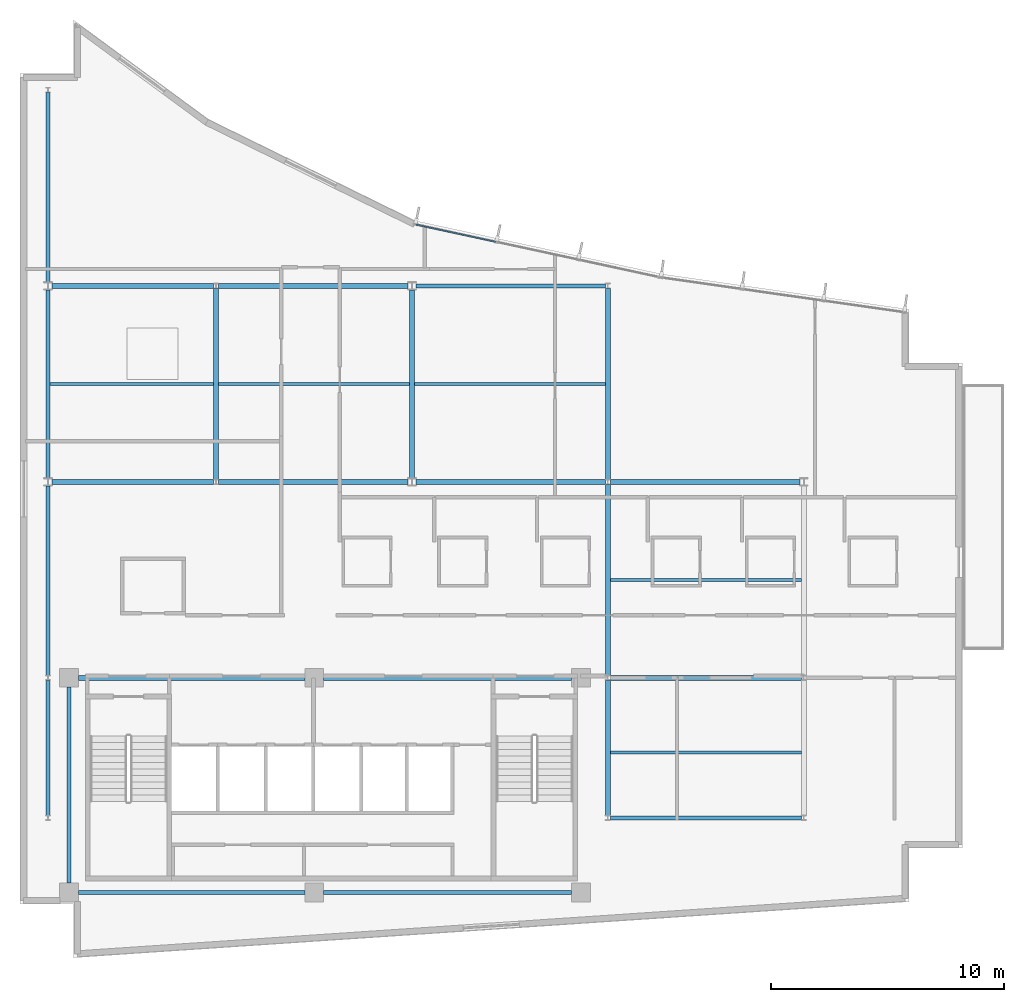
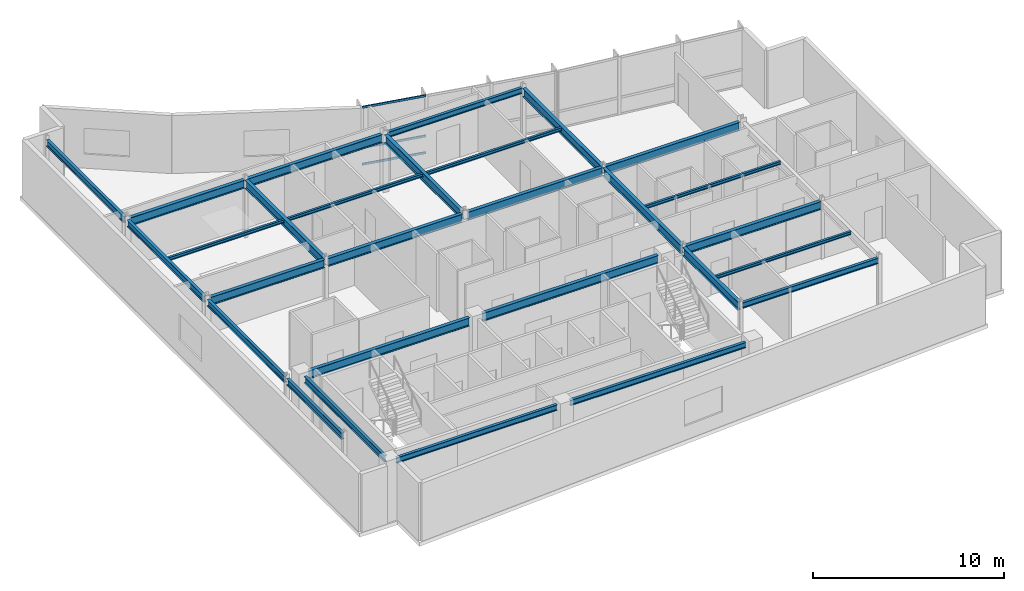
# One storey, part 5 of 16: 28 beams, 3 members, 1 element without a shape of its own.
"""IFC4 building model written with IfcOpenShell, lengths in metres."""

from ifc_helpers import new_model, si_unit, direction, frame, origin, origin_2d, place, context, subcontext, project, spatial, hollow_rectangle, i_section, extrude, material, layer, layer_set, material_profile, profile_set, type_object, element, aggregate, save


model = new_model("IFC4")

# Units and contexts
model_context = context("Model", 3, precision=1e-05, world=origin(), true_north=direction((0.0, 1.0)))
body_context = subcontext(model_context, "Body", "Model", "MODEL_VIEW")
ifc_project = project(units=[si_unit("LENGTHUNIT", "METRE"), si_unit("AREAUNIT", "SQUARE_METRE"), si_unit("VOLUMEUNIT", "CUBIC_METRE"), si_unit("PLANEANGLEUNIT", "RADIAN"), si_unit("MASSUNIT", "GRAM", prefix="KILO")], contexts=[model_context])

# Site, building, storey
site_placement = place(None, origin())
site = spatial("IfcSite", under=ifc_project, at=site_placement, CompositionType="ELEMENT")
building_placement = place(site_placement, origin())
building = spatial("IfcBuilding", under=site, at=building_placement, Name="Varnakote Quay Hospital", CompositionType="ELEMENT")
storey_placement = place(building_placement, frame((0.0, 0.0, 296.050048828125)))
storey = spatial("IfcBuildingStorey", under=building, at=storey_placement, Name="L73", CompositionType="ELEMENT", Elevation=296.050048828125)

# Beams
ifc_material_1 = material(Name="Structural steel AS/NZS 3679.1 Grade 350 L0 (fy 340 MPa)", Category="steel")
ifc_material_profile_1 = material_profile(ifc_material_1, i_section(OverallWidth=0.208984375, OverallDepth=0.528076171875, WebThickness=0.009521484375, FlangeThickness=0.01318359375, FilletRadius=0.013916015625, at=origin_2d()), Name="530UB82.0")
ifc_profile_set_1 = profile_set([ifc_material_profile_1], Name="Structural steel AS/NZS 3679.1 Grade 350 L0 (fy 340 MPa)")
beam_type_1 = type_object("IfcBeamType", Name="BM-STL-530UB82-0", PredefinedType="BEAM", material=ifc_profile_set_1)
beam_1_placement = place(storey_placement, frame((2.5, 12.0, 3.446044921875), z_axis=(1.0, 0.0, 0.0), x_axis=(0.0, 1.0, 0.0)))
element("IfcBeam", 1, at=beam_1_placement, inside=storey, type_object=beam_type_1, Name="L73 Primary Floor Beam", PredefinedType="BEAM", context=body_context, shape_type="SweptSolid", body=[
    extrude(i_section(OverallWidth=0.208984375, OverallDepth=0.528076171875, WebThickness=0.009521484375, FlangeThickness=0.01318359375, FilletRadius=0.013916015625, at=origin_2d()), origin(), (0.0, 0.0, 1.0), 9.719970703125),
])
beam_2_placement = place(storey_placement, frame((13.02001953125, 12.0, 3.446044921875), z_axis=(1.0, 0.0, 0.0), x_axis=(0.0, 1.0, 0.0)))
element("IfcBeam", 2, at=beam_2_placement, inside=storey, type_object=beam_type_1, Name="L73 Primary Floor Beam", PredefinedType="BEAM", context=body_context, shape_type="SweptSolid", body=[
    extrude(i_section(OverallWidth=0.208984375, OverallDepth=0.528076171875, WebThickness=0.009521484375, FlangeThickness=0.01318359375, FilletRadius=0.013916015625, at=origin_2d()), origin(), (0.0, 0.0, 1.0), 10.6298828125),
])
beam_3_placement = place(storey_placement, frame((25.302490234375, 12.0, 3.446044921875), z_axis=(1.0, 0.0, 0.0), x_axis=(0.0, 1.0, 0.0)))
element("IfcBeam", 3, at=beam_3_placement, inside=storey, type_object=beam_type_1, Name="L73 Primary Floor Beam", PredefinedType="BEAM", context=body_context, shape_type="SweptSolid", body=[
    extrude(i_section(OverallWidth=0.208984375, OverallDepth=0.528076171875, WebThickness=0.009521484375, FlangeThickness=0.01318359375, FilletRadius=0.013916015625, at=origin_2d()), origin(), (0.0, 0.0, 1.0), 8.195068359375),
])
beam_4_placement = place(storey_placement, frame((1.375, 20.39990234375, 3.446044921875), z_axis=(1.0, 0.0, 0.0), x_axis=(0.0, 1.0, 0.0)))
element("IfcBeam", 4, at=beam_4_placement, inside=storey, type_object=beam_type_1, Name="L73 Primary Floor Beam", PredefinedType="BEAM", context=body_context, shape_type="SweptSolid", body=[
    extrude(i_section(OverallWidth=0.208984375, OverallDepth=0.528076171875, WebThickness=0.009521484375, FlangeThickness=0.01318359375, FilletRadius=0.013916015625, at=origin_2d()), origin(), (0.0, 0.0, 1.0), 6.922607421875),
])
beam_5_placement = place(storey_placement, frame((8.50244140625, 20.39990234375, 3.446044921875), z_axis=(1.0, 0.0, 0.0), x_axis=(0.0, 1.0, 0.0)))
element("IfcBeam", 5, at=beam_5_placement, inside=storey, type_object=beam_type_1, Name="L73 Primary Floor Beam", PredefinedType="BEAM", context=body_context, shape_type="SweptSolid", body=[
    extrude(i_section(OverallWidth=0.208984375, OverallDepth=0.528076171875, WebThickness=0.009521484375, FlangeThickness=0.01318359375, FilletRadius=0.013916015625, at=origin_2d()), origin(), (0.0, 0.0, 1.0), 8.12255859375),
])
beam_6_placement = place(storey_placement, frame((16.97509765625, 20.39990234375, 3.446044921875), z_axis=(1.0, 0.0, 0.0), x_axis=(0.0, 1.0, 0.0)))
element("IfcBeam", 6, at=beam_6_placement, inside=storey, type_object=beam_type_1, Name="L73 Primary Floor Beam", PredefinedType="BEAM", context=body_context, shape_type="SweptSolid", body=[
    extrude(i_section(OverallWidth=0.208984375, OverallDepth=0.528076171875, WebThickness=0.009521484375, FlangeThickness=0.01318359375, FilletRadius=0.013916015625, at=origin_2d()), origin(), (0.0, 0.0, 1.0), 8.122314453125),
])
beam_7_placement = place(storey_placement, frame((25.302490234375, 20.39990234375, 3.446044921875), z_axis=(1.0, 0.0, 0.0), x_axis=(0.0, 1.0, 0.0)))
element("IfcBeam", 7, at=beam_7_placement, inside=storey, type_object=beam_type_1, Name="L73 Primary Floor Beam", PredefinedType="BEAM", context=body_context, shape_type="SweptSolid", body=[
    extrude(i_section(OverallWidth=0.208984375, OverallDepth=0.528076171875, WebThickness=0.009521484375, FlangeThickness=0.01318359375, FilletRadius=0.013916015625, at=origin_2d()), origin(), (0.0, 0.0, 1.0), 8.12255859375),
])
beam_8_placement = place(storey_placement, frame((1.375, 28.800048828125, 3.446044921875), z_axis=(1.0, 0.0, 0.0), x_axis=(0.0, 1.0, 0.0)))
element("IfcBeam", 8, at=beam_8_placement, inside=storey, type_object=beam_type_1, Name="L73 Primary Floor Beam", PredefinedType="BEAM", context=body_context, shape_type="SweptSolid", body=[
    extrude(i_section(OverallWidth=0.208984375, OverallDepth=0.528076171875, WebThickness=0.009521484375, FlangeThickness=0.01318359375, FilletRadius=0.013916015625, at=origin_2d()), origin(), (0.0, 0.0, 1.0), 6.922607421875),
])
beam_9_placement = place(storey_placement, frame((8.50244140625, 28.800048828125, 3.446044921875), z_axis=(1.0, 0.0, 0.0), x_axis=(0.0, 1.0, 0.0)))
element("IfcBeam", 9, at=beam_9_placement, inside=storey, type_object=beam_type_1, Name="L73 Primary Floor Beam", PredefinedType="BEAM", context=body_context, shape_type="SweptSolid", body=[
    extrude(i_section(OverallWidth=0.208984375, OverallDepth=0.528076171875, WebThickness=0.009521484375, FlangeThickness=0.01318359375, FilletRadius=0.013916015625, at=origin_2d()), origin(), (0.0, 0.0, 1.0), 8.12255859375),
])
beam_10_placement = place(storey_placement, frame((8.39990234375, 20.5048828125, 3.446044921875), z_axis=(0.0, 1.0, 0.0), x_axis=(-1.0, 0.0, 0.0)))
element("IfcBeam", 10, at=beam_10_placement, inside=storey, type_object=beam_type_1, Name="L73 Primary Tie Beam", PredefinedType="BEAM", context=body_context, shape_type="SweptSolid", body=[
    extrude(i_section(OverallWidth=0.208984375, OverallDepth=0.528076171875, WebThickness=0.009521484375, FlangeThickness=0.01318359375, FilletRadius=0.013916015625, at=origin_2d()), origin(), (0.0, 0.0, 1.0), 8.190185546875),
])
beam_11_placement = place(storey_placement, frame((16.800048828125, 20.570068359375, 3.446044921875), z_axis=(0.0, 1.0, 0.0), x_axis=(-1.0, 0.0, 0.0)))
element("IfcBeam", 11, at=beam_11_placement, inside=storey, type_object=beam_type_1, Name="L73 Primary Tie Beam", PredefinedType="BEAM", context=body_context, shape_type="SweptSolid", body=[
    extrude(i_section(OverallWidth=0.208984375, OverallDepth=0.528076171875, WebThickness=0.009521484375, FlangeThickness=0.01318359375, FilletRadius=0.013916015625, at=origin_2d()), origin(), (0.0, 0.0, 1.0), 8.059814453125),
])
beam_12_placement = place(storey_placement, frame((25.199951171875, 6.10498046875, 3.446044921875), z_axis=(0.0, 1.0, 0.0), x_axis=(-1.0, 0.0, 0.0)))
element("IfcBeam", 12, at=beam_12_placement, inside=storey, type_object=beam_type_1, Name="L73 Primary Tie Beam", PredefinedType="BEAM", context=body_context, shape_type="SweptSolid", body=[
    extrude(i_section(OverallWidth=0.208984375, OverallDepth=0.528076171875, WebThickness=0.009521484375, FlangeThickness=0.01318359375, FilletRadius=0.013916015625, at=origin_2d()), origin(), (0.0, 0.0, 1.0), 5.7900390625),
])
beam_13_placement = place(storey_placement, frame((25.199951171875, 12.10498046875, 3.446044921875), z_axis=(0.0, 1.0, 0.0), x_axis=(-1.0, 0.0, 0.0)))
element("IfcBeam", 13, at=beam_13_placement, inside=storey, type_object=beam_type_1, Name="L73 Primary Tie Beam", PredefinedType="BEAM", context=body_context, shape_type="SweptSolid", body=[
    extrude(i_section(OverallWidth=0.208984375, OverallDepth=0.528076171875, WebThickness=0.009521484375, FlangeThickness=0.01318359375, FilletRadius=0.013916015625, at=origin_2d()), origin(), (0.0, 0.0, 1.0), 8.18994140625),
])
beam_14_placement = place(storey_placement, frame((25.199951171875, 20.5048828125, 3.446044921875), z_axis=(0.0, 1.0, 0.0), x_axis=(-1.0, 0.0, 0.0)))
element("IfcBeam", 14, at=beam_14_placement, inside=storey, type_object=beam_type_1, Name="L73 Primary Tie Beam", PredefinedType="BEAM", context=body_context, shape_type="SweptSolid", body=[
    extrude(i_section(OverallWidth=0.208984375, OverallDepth=0.528076171875, WebThickness=0.009521484375, FlangeThickness=0.01318359375, FilletRadius=0.013916015625, at=origin_2d()), origin(), (0.0, 0.0, 1.0), 8.190185546875),
])

# Curtain wall, members
ifc_material_2 = material(Name="Anodised aluminium 6063-T6 Bronze", Category="aluminium")
ifc_layer = layer(ifc_material_2, 0.235107421875)
ifc_layer_set = layer_set([ifc_layer], Name="Anodised aluminium 6063-T6 Bronze")
curtain_wall_type = type_object("IfcCurtainWallType", Name="CW-SYS-5", PredefinedType="NOTDEFINED", material=ifc_layer_set)
curtain_wall_placement = place(storey_placement, origin())
curtain_wall = element("IfcCurtainWall", 15, at=curtain_wall_placement, inside=storey, type_object=curtain_wall_type, Name="L73 Unitised Bronze Curtain Wall 2", PredefinedType="NOTDEFINED")
ifc_material_3 = material(Name="Anodised aluminium 6063-T6 Bronze", Category="aluminium")
ifc_material_profile_2 = material_profile(ifc_material_3, hollow_rectangle(XDim=0.06494140625, YDim=0.139892578125, WallThickness=0.00390625, InnerFilletRadius=0.00390625, OuterFilletRadius=0.007568359375, at=origin_2d()), Name="CW-TRAN-140x65")
ifc_profile_set_2 = profile_set([ifc_material_profile_2], Name="Anodised aluminium 6063-T6 Bronze")
member_type = type_object("IfcMemberType", Name="CW-TRAN-140x65", PredefinedType="USERDEFINED", material=ifc_profile_set_2)
member_1_placement = place(storey_placement, frame((20.392822265625, 30.6875, 0.032470703125), z_axis=(-0.977396604486, 0.211413995608, 0.0), x_axis=(-0.211413995608, -0.977396604486, 0.0)))
member_1 = element("IfcMember", 16, at=member_1_placement, type_object=member_type, Name="-5-L73-2 transom 3.1", ObjectType="TRANSOM", PredefinedType="USERDEFINED", context=body_context, shape_type="SweptSolid", body=[
    extrude(hollow_rectangle(XDim=0.06494140625, YDim=0.139892578125, WallThickness=0.00390625, InnerFilletRadius=0.00390625, OuterFilletRadius=0.007568359375, at=origin_2d()), origin(), (0.0, 0.0, 1.0), 3.4931640625),
])
member_2_placement = place(storey_placement, frame((20.392822265625, 30.6875, 1.099853515625), z_axis=(-0.977396604486, 0.211413995608, 0.0), x_axis=(-0.211413995608, -0.977396604486, 0.0)))
member_2 = element("IfcMember", 17, at=member_2_placement, type_object=member_type, Name="-5-L73-2 transom 3.2", ObjectType="TRANSOM", PredefinedType="USERDEFINED", context=body_context, shape_type="SweptSolid", body=[
    extrude(hollow_rectangle(XDim=0.06494140625, YDim=0.139892578125, WallThickness=0.00390625, InnerFilletRadius=0.00390625, OuterFilletRadius=0.007568359375, at=origin_2d()), origin(), (0.0, 0.0, 1.0), 3.4931640625),
])
member_3_placement = place(storey_placement, frame((20.392822265625, 30.6875, 3.677490234375), z_axis=(-0.977396604486, 0.211413995608, 0.0), x_axis=(-0.211413995608, -0.977396604486, 0.0)))
member_3 = element("IfcMember", 18, at=member_3_placement, type_object=member_type, Name="-5-L73-2 transom 3.3", ObjectType="TRANSOM", PredefinedType="USERDEFINED", context=body_context, shape_type="SweptSolid", body=[
    extrude(hollow_rectangle(XDim=0.06494140625, YDim=0.139892578125, WallThickness=0.00390625, InnerFilletRadius=0.00390625, OuterFilletRadius=0.007568359375, at=origin_2d()), origin(), (0.0, 0.0, 1.0), 3.4931640625),
])
aggregate(curtain_wall, [member_1, member_2, member_3])

# Beams
ifc_material_4 = material(Name="Structural steel AS/NZS 3679.1 Grade 350 L0 (fy 340 MPa)", Category="steel")
ifc_material_profile_3 = material_profile(ifc_material_4, i_section(OverallWidth=0.134033203125, OverallDepth=0.20703125, WebThickness=0.00634765625, FlangeThickness=0.009521484375, FilletRadius=0.0087890625, at=origin_2d()), Name="200UB29.8")
ifc_profile_set_3 = profile_set([ifc_material_profile_3], Name="Structural steel AS/NZS 3679.1 Grade 350 L0 (fy 340 MPa)")
beam_type_2 = type_object("IfcBeamType", Name="JST-STL-200UB29-8", PredefinedType="JOIST", material=ifc_profile_set_3)
for number, where, z_axis, x_axis, name in (
    (19, (25.304443359375, 8.800048828125, 3.6064453125), (1.0, 0.0, 0.0), (0.0, 1.0, 0.0), "L73 Composite Floor Joist"),
    (20, (25.304443359375, 16.199951171875, 3.6064453125), (1.0, 0.0, 0.0), (0.0, 1.0, 0.0), "L73 Composite Floor Joist"),
):
    element("IfcBeam", number, at=place(storey_placement, frame(where, z_axis=z_axis, x_axis=x_axis)), inside=storey, type_object=beam_type_2, Name=name, PredefinedType="JOIST", context=body_context, shape_type="SweptSolid", body=[
        extrude(i_section(OverallWidth=0.134033203125, OverallDepth=0.20703125, WebThickness=0.00634765625, FlangeThickness=0.009521484375, FilletRadius=0.0087890625, at=origin_2d()), origin(), (0.0, 0.0, 1.0), 8.191162109375),
    ])
beam_15_placement = place(storey_placement, frame((1.2890625, 24.60009765625, 3.6064453125), z_axis=(1.0, 0.0, 0.0), x_axis=(0.0, 1.0, 0.0)))
element("IfcBeam", 21, at=beam_15_placement, inside=storey, type_object=beam_type_2, Name="L73 Composite Floor Joist", PredefinedType="JOIST", context=body_context, shape_type="SweptSolid", body=[
    extrude(i_section(OverallWidth=0.134033203125, OverallDepth=0.20703125, WebThickness=0.00634765625, FlangeThickness=0.009521484375, FilletRadius=0.0087890625, at=origin_2d()), origin(), (0.0, 0.0, 1.0), 7.00634765625),
])
beam_16_placement = place(storey_placement, frame((8.50439453125, 24.60009765625, 3.6064453125), z_axis=(1.0, 0.0, 0.0), x_axis=(0.0, 1.0, 0.0)))
element("IfcBeam", 22, at=beam_16_placement, inside=storey, type_object=beam_type_2, Name="L73 Composite Floor Joist", PredefinedType="JOIST", context=body_context, shape_type="SweptSolid", body=[
    extrude(i_section(OverallWidth=0.134033203125, OverallDepth=0.20703125, WebThickness=0.00634765625, FlangeThickness=0.009521484375, FilletRadius=0.0087890625, at=origin_2d()), origin(), (0.0, 0.0, 1.0), 8.191162109375),
])
beam_17_placement = place(storey_placement, frame((16.904541015625, 24.60009765625, 3.6064453125), z_axis=(1.0, 0.0, 0.0), x_axis=(0.0, 1.0, 0.0)))
element("IfcBeam", 23, at=beam_17_placement, inside=storey, type_object=beam_type_2, Name="L73 Composite Floor Joist", PredefinedType="JOIST", context=body_context, shape_type="SweptSolid", body=[
    extrude(i_section(OverallWidth=0.134033203125, OverallDepth=0.20703125, WebThickness=0.00634765625, FlangeThickness=0.009521484375, FilletRadius=0.0087890625, at=origin_2d()), origin(), (0.0, 0.0, 1.0), 8.19091796875),
])
ifc_material_5 = material(Name="Structural steel AS/NZS 3679.1 Grade 350 L0 (fy 340 MPa)", Category="steel")
ifc_material_profile_4 = material_profile(ifc_material_5, i_section(OverallWidth=0.172119140625, OverallDepth=0.35888671875, WebThickness=0.008056640625, FlangeThickness=0.012939453125, FilletRadius=0.011474609375, at=origin_2d()), Name="360UB56.7")
ifc_profile_set_4 = profile_set([ifc_material_profile_4], Name="Structural steel AS/NZS 3679.1 Grade 350 L0 (fy 340 MPa)")
beam_type_3 = type_object("IfcBeamType", Name="SPN-STL-360UB56-7", PredefinedType="SPANDREL", material=ifc_profile_set_4)
beam_18_placement = place(storey_placement, frame((2.5, 2.800048828125, 3.530517578125), z_axis=(1.0, 0.0, 0.0), x_axis=(0.0, 1.0, 0.0)))
element("IfcBeam", 24, at=beam_18_placement, inside=storey, type_object=beam_type_3, Name="L73 Perimeter Spandrel Beam", PredefinedType="SPANDREL", context=body_context, shape_type="SweptSolid", body=[
    extrude(i_section(OverallWidth=0.172119140625, OverallDepth=0.35888671875, WebThickness=0.008056640625, FlangeThickness=0.012939453125, FilletRadius=0.011474609375, at=origin_2d()), origin(), (0.0, 0.0, 1.0), 9.719970703125),
])
beam_19_placement = place(storey_placement, frame((13.02001953125, 2.800048828125, 3.530517578125), z_axis=(1.0, 0.0, 0.0), x_axis=(0.0, 1.0, 0.0)))
element("IfcBeam", 25, at=beam_19_placement, inside=storey, type_object=beam_type_3, Name="L73 Perimeter Spandrel Beam", PredefinedType="SPANDREL", context=body_context, shape_type="SweptSolid", body=[
    extrude(i_section(OverallWidth=0.172119140625, OverallDepth=0.35888671875, WebThickness=0.008056640625, FlangeThickness=0.012939453125, FilletRadius=0.011474609375, at=origin_2d()), origin(), (0.0, 0.0, 1.0), 10.6298828125),
])
beam_20_placement = place(storey_placement, frame((25.302490234375, 6.0, 3.530517578125), z_axis=(1.0, 0.0, 0.0), x_axis=(0.0, 1.0, 0.0)))
element("IfcBeam", 26, at=beam_20_placement, inside=storey, type_object=beam_type_3, Name="L73 Perimeter Spandrel Beam", PredefinedType="SPANDREL", context=body_context, shape_type="SweptSolid", body=[
    extrude(i_section(OverallWidth=0.172119140625, OverallDepth=0.35888671875, WebThickness=0.008056640625, FlangeThickness=0.012939453125, FilletRadius=0.011474609375, at=origin_2d()), origin(), (0.0, 0.0, 1.0), 8.195068359375),
])
beam_21_placement = place(storey_placement, frame((16.97509765625, 28.800048828125, 3.530517578125), z_axis=(1.0, 0.0, 0.0), x_axis=(0.0, 1.0, 0.0)))
element("IfcBeam", 27, at=beam_21_placement, inside=storey, type_object=beam_type_3, Name="L73 Perimeter Spandrel Beam", PredefinedType="SPANDREL", context=body_context, shape_type="SweptSolid", body=[
    extrude(i_section(OverallWidth=0.172119140625, OverallDepth=0.35888671875, WebThickness=0.008056640625, FlangeThickness=0.012939453125, FilletRadius=0.011474609375, at=origin_2d()), origin(), (0.0, 0.0, 1.0), 8.122314453125),
])
ifc_material_6 = material(Name="Structural steel AS/NZS 3679.1 Grade 350 L0 (fy 340 MPa)", Category="steel")
ifc_material_profile_5 = material_profile(ifc_material_6, i_section(OverallWidth=0.177978515625, OverallDepth=0.403076171875, WebThickness=0.007568359375, FlangeThickness=0.010986328125, FilletRadius=0.011474609375, at=origin_2d()), Name="410UB53.7")
ifc_profile_set_5 = profile_set([ifc_material_profile_5], Name="Structural steel AS/NZS 3679.1 Grade 350 L0 (fy 340 MPa)")
beam_type_4 = type_object("IfcBeamType", Name="SPN-STL-410UB53-7", PredefinedType="SPANDREL", material=ifc_profile_set_5)
beam_22_placement = place(storey_placement, frame((1.199951171875, 6.10498046875, 3.508544921875), z_axis=(0.0, 1.0, 0.0), x_axis=(-1.0, 0.0, 0.0)))
element("IfcBeam", 28, at=beam_22_placement, inside=storey, type_object=beam_type_4, Name="L73 Perimeter Spandrel Beam", PredefinedType="SPANDREL", context=body_context, shape_type="SweptSolid", body=[
    extrude(i_section(OverallWidth=0.177978515625, OverallDepth=0.403076171875, WebThickness=0.007568359375, FlangeThickness=0.010986328125, FilletRadius=0.011474609375, at=origin_2d()), origin(), (0.0, 0.0, 1.0), 5.7900390625),
])
beam_23_placement = place(storey_placement, frame((1.199951171875, 12.10498046875, 3.508544921875), z_axis=(0.0, 1.0, 0.0), x_axis=(-1.0, 0.0, 0.0)))
element("IfcBeam", 29, at=beam_23_placement, inside=storey, type_object=beam_type_4, Name="L73 Perimeter Spandrel Beam", PredefinedType="SPANDREL", context=body_context, shape_type="SweptSolid", body=[
    extrude(i_section(OverallWidth=0.177978515625, OverallDepth=0.403076171875, WebThickness=0.007568359375, FlangeThickness=0.010986328125, FilletRadius=0.011474609375, at=origin_2d()), origin(), (0.0, 0.0, 1.0), 8.125),
])
beam_24_placement = place(storey_placement, frame((1.199951171875, 20.570068359375, 3.508544921875), z_axis=(0.0, 1.0, 0.0), x_axis=(-1.0, 0.0, 0.0)))
element("IfcBeam", 30, at=beam_24_placement, inside=storey, type_object=beam_type_4, Name="L73 Perimeter Spandrel Beam", PredefinedType="SPANDREL", context=body_context, shape_type="SweptSolid", body=[
    extrude(i_section(OverallWidth=0.177978515625, OverallDepth=0.403076171875, WebThickness=0.007568359375, FlangeThickness=0.010986328125, FilletRadius=0.011474609375, at=origin_2d()), origin(), (0.0, 0.0, 1.0), 8.059814453125),
])
beam_25_placement = place(storey_placement, frame((1.199951171875, 28.969970703125, 3.508544921875), z_axis=(0.0, 1.0, 0.0), x_axis=(-1.0, 0.0, 0.0)))
element("IfcBeam", 31, at=beam_25_placement, inside=storey, type_object=beam_type_4, Name="L73 Perimeter Spandrel Beam", PredefinedType="SPANDREL", context=body_context, shape_type="SweptSolid", body=[
    extrude(i_section(OverallWidth=0.177978515625, OverallDepth=0.403076171875, WebThickness=0.007568359375, FlangeThickness=0.010986328125, FilletRadius=0.011474609375, at=origin_2d()), origin(), (0.0, 0.0, 1.0), 8.125),
])
beam_26_placement = place(storey_placement, frame((2.10009765625, 3.199951171875, 3.508544921875), z_axis=(0.0, 1.0, 0.0), x_axis=(-1.0, 0.0, 0.0)))
element("IfcBeam", 32, at=beam_26_placement, inside=storey, type_object=beam_type_4, Name="L73 Perimeter Spandrel Beam", PredefinedType="SPANDREL", context=body_context, shape_type="SweptSolid", body=[
    extrude(i_section(OverallWidth=0.177978515625, OverallDepth=0.403076171875, WebThickness=0.007568359375, FlangeThickness=0.010986328125, FilletRadius=0.011474609375, at=origin_2d()), origin(), (0.0, 0.0, 1.0), 8.400146484375),
])

save(model, "model.ifc")
